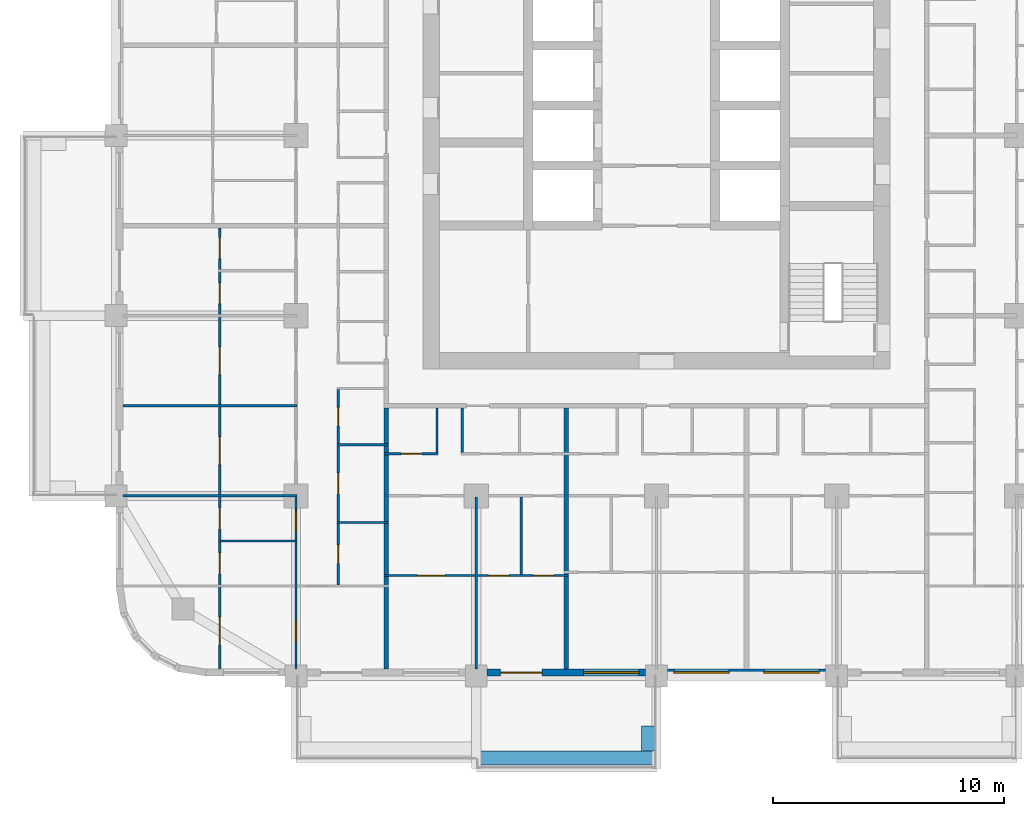
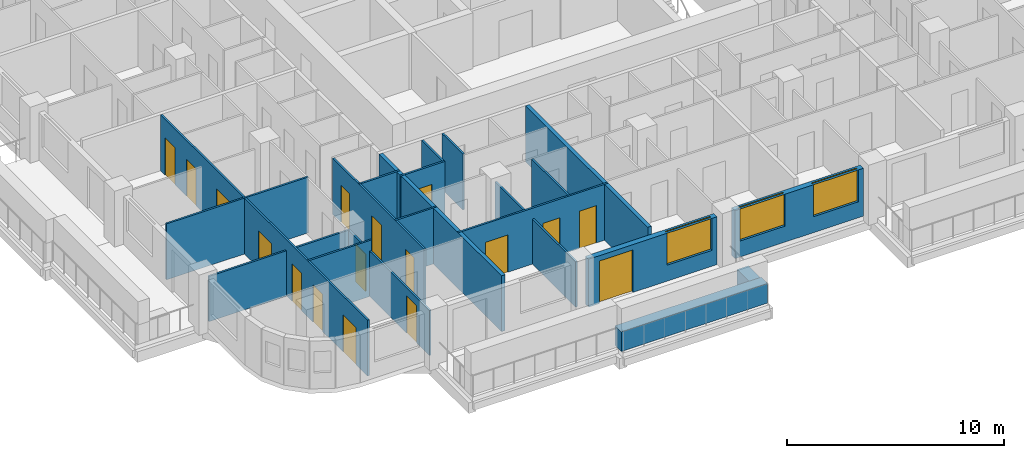
# One storey, part 3 of 18: 20 walls, 17 doors, 3 windows, 20 openings.
"""IFC4 building model written with IfcOpenShell, lengths in metres."""

import ifcopenshell
import ifcopenshell.guid

model = None  # the IFC model being written
_history = None  # IfcOwnerHistory: only IFC2X3 demands one
_inside = {}  # id of a spatial element -> (the spatial element, [elements in it])
_under = {}  # id of a project, library or spatial element -> (it, [spatial elements below it])
_declared = {}  # id of a project -> (the project, [libraries it declares])
_typed = {}  # id of a type object -> (the type object, [elements of that type])
_made_of = {}  # id of a material, layer set ... -> (it, [elements and type objects made of it])


def new_model(schema):
    """Start an empty IFC model of exactly this schema.

    Asked for "IFC4X3", IfcOpenShell would pick the latest addendum, in which some entities
    have other attributes; the version numbers below select the first issue.
    IFC2X3 requires an IfcOwnerHistory on every rooted entity: one is made here for all.
    """
    global model, _history
    if schema == "IFC4X3":
        model = ifcopenshell.file(schema_version=(4, 3, 0, 0))
    else:
        model = ifcopenshell.file(schema=schema)
    _inside.clear()
    _under.clear()
    _declared.clear()
    _typed.clear()
    _made_of.clear()
    _history = None
    if model.schema == "IFC2X3":
        org = make("IfcOrganization", Name="unknown")
        user = make(
            "IfcPersonAndOrganization",
            ThePerson=make("IfcPerson", FamilyName="unknown"),
            TheOrganization=org,
        )
        app = make(
            "IfcApplication",
            ApplicationDeveloper=org,
            Version="unknown",
            ApplicationFullName="unknown",
            ApplicationIdentifier="unknown",
        )
        _history = make(
            "IfcOwnerHistory",
            OwningUser=user,
            OwningApplication=app,
            ChangeAction="ADDED",
            CreationDate=0,
        )
    return model


def make(cls, **values):
    """One entity of the class cls with the attributes given. An attribute that is None is left unset."""
    return model.create_entity(
        cls, **{name: value for name, value in values.items() if value is not None}
    )


def rooted(cls, **values):
    """An entity with a GlobalId (a new one), such as an element, a storey or a relation."""
    return make(cls, GlobalId=ifcopenshell.guid.new(), OwnerHistory=_history, **values)


def si_unit(unit_type, name, prefix=None):
    """IfcSIUnit, for example si_unit("LENGTHUNIT", "METRE", prefix="MILLI")."""
    return make("IfcSIUnit", UnitType=unit_type, Prefix=prefix, Name=name)


def assignment(units):
    """IfcUnitAssignment: the units of a project."""
    return None if units is None else make("IfcUnitAssignment", Units=units)


def point(xyz):
    """IfcCartesianPoint."""
    return None if xyz is None else make("IfcCartesianPoint", Coordinates=xyz)


def direction(xyz):
    """IfcDirection."""
    return None if xyz is None else make("IfcDirection", DirectionRatios=xyz)


def frame(location, z_axis=None, x_axis=None):
    """IfcAxis2Placement3D, a coordinate frame: its origin and axes. An axis left out is left unset."""
    return make(
        "IfcAxis2Placement3D",
        Location=point(location),
        Axis=direction(z_axis),
        RefDirection=direction(x_axis),
    )


def frame_2d(location, x_axis=None):
    """IfcAxis2Placement2D, a coordinate frame in the plane: its origin and x axis."""
    return make(
        "IfcAxis2Placement2D", Location=point(location), RefDirection=direction(x_axis)
    )


def origin():
    """The frame at (0, 0, 0) with its axes left unset."""
    return frame((0.0, 0.0, 0.0))


def place(relative_to, where):
    """IfcLocalPlacement: puts the frame where relative to a parent placement (None: the world)."""
    return make(
        "IfcLocalPlacement", PlacementRelTo=relative_to, RelativePlacement=where
    )


def context(
    kind, dimensions, precision=None, world=None, true_north=None, identifier=None
):
    """IfcGeometricRepresentationContext, for example the 3D "Model" context."""
    return make(
        "IfcGeometricRepresentationContext",
        ContextIdentifier=identifier,
        ContextType=kind,
        CoordinateSpaceDimension=dimensions,
        Precision=precision,
        WorldCoordinateSystem=world,
        TrueNorth=true_north,
    )


def subcontext(parent, identifier, kind, view, scale=None):
    """IfcGeometricRepresentationSubContext, for example "Body" below "Model"."""
    return make(
        "IfcGeometricRepresentationSubContext",
        ContextIdentifier=identifier,
        ContextType=kind,
        ParentContext=parent,
        TargetScale=scale,
        TargetView=view,
    )


def project(units=None, contexts=None):
    """IfcProject with its units and contexts."""
    return rooted(
        "IfcProject",
        Name="project",
        RepresentationContexts=contexts,
        UnitsInContext=assignment(units),
    )


def spatial(cls, under=None, at=None, **own):
    """A site, building, storey or space (cls), placed at a placement, below another one or the project."""
    s = rooted(cls, ObjectPlacement=at, **own)
    if under is not None:
        _under.setdefault(under.id(), (under, []))[1].append(s)
    return s


def profile(cls, at=None, kind="AREA", **sizes):
    """A parametric profile (cls). Its sizes go by their IFC names, for example OverallWidth=200.0."""
    return make(cls, ProfileType=kind, Position=at, **sizes)


def rectangle(**sizes):
    """IfcRectangleProfileDef."""
    return profile("IfcRectangleProfileDef", **sizes)


def extrude(swept, where, along, depth):
    """IfcExtrudedAreaSolid: the profile swept, set in the frame where, extruded along a direction by depth."""
    return make(
        "IfcExtrudedAreaSolid",
        SweptArea=swept,
        Position=where,
        ExtrudedDirection=direction(along),
        Depth=depth,
    )


def shape(context_of_items, identifier, shape_type, items):
    """IfcShapeRepresentation: the items that make up one representation, for example the "Body"."""
    return make(
        "IfcShapeRepresentation",
        ContextOfItems=context_of_items,
        RepresentationIdentifier=identifier,
        RepresentationType=shape_type,
        Items=items,
    )


def material(Name=None, Category=None):
    """IfcMaterial."""
    return make("IfcMaterial", Name=Name, Category=Category)


def layer(
    of_material, thickness, ventilated=None, Name=None, Category=None, Priority=None
):
    """IfcMaterialLayer: one layer of a wall or slab, of a material (None: an air gap)."""
    return make(
        "IfcMaterialLayer",
        Material=of_material,
        LayerThickness=thickness,
        IsVentilated=ventilated,
        Name=Name,
        Category=Category,
        Priority=Priority,
    )


def layer_set(layers, Name=None):
    """IfcMaterialLayerSet."""
    return make("IfcMaterialLayerSet", MaterialLayers=layers, LayerSetName=Name)


def made_of(thing, what):
    """Note that an element or type object is made of a material, layer set ...; save() writes the relation."""
    if what is not None:
        _made_of.setdefault(what.id(), (what, []))[1].append(thing)
    return thing


def type_object(cls, material=None, **own):
    """A type object (cls), such as IfcWallType, which elements share."""
    return made_of(rooted(cls, **own), material)


def element(
    cls,
    number,
    at=None,
    inside=None,
    cuts=None,
    type_object=None,
    material=None,
    context=None,
    identifier="Body",
    shape_type=None,
    held_by="IfcProductDefinitionShape",
    body=None,
    shapes=None,
    **own,
):
    """One element of the class cls, such as IfcWall. Its Tag is "e" and its number.

    at: its placement. inside: the storey or other place that contains it. cuts: it is an
    opening in that element (IfcRelVoidsElement). A single representation is given by context,
    identifier, shape_type and body (its items); several are given by shapes. held_by: the class
    of the entity that holds the representations. save() writes the other relations.
    """
    e = rooted(cls, Tag="e%d" % number, ObjectPlacement=at, **own)
    if body is not None:
        shapes = [shape(context, identifier, shape_type, body)]
    if shapes is not None:
        e.Representation = make(held_by, Representations=shapes)
    if inside is not None:
        _inside.setdefault(inside.id(), (inside, []))[1].append(e)
    if cuts is not None:
        rooted(
            "IfcRelVoidsElement", RelatingBuildingElement=cuts, RelatedOpeningElement=e
        )
    if type_object is not None:
        _typed.setdefault(type_object.id(), (type_object, []))[1].append(e)
    return made_of(e, material)


def fill(opening, filler):
    """IfcRelFillsElement: the door or window that sits in an opening."""
    return rooted(
        "IfcRelFillsElement",
        RelatingOpeningElement=opening,
        RelatedBuildingElement=filler,
    )


def aggregate(whole, parts):
    """IfcRelAggregates: a whole, such as a stair, and the parts it consists of."""
    return rooted("IfcRelAggregates", RelatingObject=whole, RelatedObjects=parts)


def save(model, path):
    """Write the relations noted so far, then the file.

    IfcRelAggregates (storeys below a building ...), IfcRelContainedInSpatialStructure (elements
    in a storey), IfcRelDefinesByType, IfcRelAssociatesMaterial and IfcRelDeclares: one each for
    every whole, place, type object, material and project.
    """
    for whole, parts in _under.values():
        aggregate(whole, parts)
    for where, things in _inside.values():
        rooted(
            "IfcRelContainedInSpatialStructure",
            RelatedElements=things,
            RelatingStructure=where,
        )
    for kind, things in _typed.values():
        rooted("IfcRelDefinesByType", RelatedObjects=things, RelatingType=kind)
    for what, things in _made_of.values():
        rooted("IfcRelAssociatesMaterial", RelatedObjects=things, RelatingMaterial=what)
    for by, libraries in _declared.values():
        rooted("IfcRelDeclares", RelatingContext=by, RelatedDefinitions=libraries)
    model.write(path)


model = new_model("IFC4")

# Units and contexts
model_context = context("Model", 3, precision=1e-05, world=origin(), true_north=direction((0.0, 1.0)))
body_context = subcontext(model_context, "Body", "Model", "MODEL_VIEW")
ifc_project = project(units=[si_unit("LENGTHUNIT", "METRE"), si_unit("AREAUNIT", "SQUARE_METRE"), si_unit("VOLUMEUNIT", "CUBIC_METRE"), si_unit("PLANEANGLEUNIT", "RADIAN"), si_unit("MASSUNIT", "GRAM", prefix="KILO")], contexts=[model_context])

# Site, building, storey
site_placement = place(None, origin())
site = spatial("IfcSite", under=ifc_project, at=site_placement, CompositionType="ELEMENT")
building_placement = place(site_placement, origin())
building = spatial("IfcBuilding", under=site, at=building_placement, Name="Ludao Terraces", CompositionType="ELEMENT")
storey_placement = place(building_placement, frame((0.0, 0.0, 64.800048828125)))
storey = spatial("IfcBuildingStorey", under=building, at=storey_placement, Name="L17", CompositionType="ELEMENT", Elevation=64.800048828125)

# Walls
ifc_material_1 = material(Name="Concrete C40", Category="concrete")
ifc_layer_1 = layer(ifc_material_1, 0.60009765625)
ifc_layer_set_1 = layer_set([ifc_layer_1], Name="ENV Planter trough 600")
wall_type_1 = type_object("IfcWallType", Name="ENV Planter trough 600", PredefinedType="USERDEFINED", material=ifc_layer_set_1)
wall_1_placement = place(storey_placement, frame((77.199951171875, 38.050048828125, 0.0), z_axis=(0.0, 0.0, 1.0), x_axis=(1.0, 0.0, 0.0)))
element("IfcWall", 1, at=wall_1_placement, inside=storey, type_object=wall_type_1, Name="PL-L17-S2", ObjectType="PLANTER", PredefinedType="USERDEFINED", context=body_context, shape_type="SweptSolid", body=[
    extrude(rectangle(XDim=7.800048828125, YDim=0.60009765625, at=frame_2d((3.89990234375, 0.0))), origin(), (0.0, 0.0, 1.0), 1.099853515625),
])
wall_2_placement = place(storey_placement, frame((84.64990234375, 38.35009765625, 0.0), z_axis=(0.0, 0.0, 1.0), x_axis=(0.0, 1.0, 0.0)))
element("IfcWall", 2, at=wall_2_placement, inside=storey, type_object=wall_type_1, Name="PL-L17-S2-SB", ObjectType="PLANTER", PredefinedType="USERDEFINED", context=body_context, shape_type="SweptSolid", body=[
    extrude(rectangle(XDim=1.099853515625, YDim=0.60009765625, at=frame_2d((0.5498046875, 0.0))), origin(), (0.0, 0.0, 1.0), 1.099853515625),
])

# Wall, openings, door, window
ifc_material_2 = material(Name="Granite cladding", Category="masonry")
ifc_layer_2 = layer(ifc_material_2, 0.0400390625, Category="stone")
ifc_material_3 = material(Name="Mineral wool")
ifc_layer_3 = layer(ifc_material_3, 0.06005859375)
ifc_layer_4 = layer(ifc_material_1, 0.199951171875, Category="concrete")
ifc_layer_set_2 = layer_set([ifc_layer_2, ifc_layer_3, ifc_layer_4], Name="ENV Stone-clad wall 300")
wall_type_2 = type_object("IfcWallType", Name="ENV Stone-clad wall 300", PredefinedType="SOLIDWALL", material=ifc_layer_set_2)
wall_3_placement = place(storey_placement, frame((77.675048828125, 41.75, 0.0), z_axis=(0.0, 0.0, 1.0), x_axis=(1.0, 0.0, 0.0)))
wall_3 = element("IfcWall", 3, at=wall_3_placement, inside=storey, type_object=wall_type_2, Name="EW-L17-S3", PredefinedType="SOLIDWALL", context=body_context, shape_type="SweptSolid", body=[
    extrude(rectangle(XDim=6.849853515625, YDim=0.300048828125, at=frame_2d((3.4248046875, 0.0))), origin(), (0.0, 0.0, 1.0), 2.699951171875),
])
opening_1_placement = place(wall_3_placement, frame((0.574951171875, 0.0, 0.0)))
opening_1 = element("IfcOpeningElement", 4, at=opening_1_placement, cuts=wall_3, Name="Opening BD", PredefinedType="OPENING", context=body_context, shape_type="SweptSolid", body=[
    extrude(rectangle(XDim=1.800048828125, YDim=2.39990234375, at=frame_2d((0.89990234375, 1.199951171875))), frame((0.0, 0.16015625, 0.0), z_axis=(0.0, -1.0, 0.0), x_axis=(1.0, 0.0, 0.0)), (0.0, 0.0, 1.0), 0.320068359375),
])
opening_2_placement = place(wall_3_placement, frame((4.175048828125, 0.0, 0.89990234375)))
opening_2 = element("IfcOpeningElement", 5, at=opening_2_placement, cuts=wall_3, Name="Opening W1", PredefinedType="OPENING", context=body_context, shape_type="SweptSolid", body=[
    extrude(rectangle(XDim=2.39990234375, YDim=1.800048828125, at=frame_2d((1.199951171875, 0.89990234375))), frame((0.0, 0.16015625, 0.0), z_axis=(0.0, -1.0, 0.0), x_axis=(1.0, 0.0, 0.0)), (0.0, 0.0, 1.0), 0.320068359375),
])
ifc_material_4 = material(Name="Aluminium glazed door", Category="aluminium")
ifc_layer_5 = layer(ifc_material_4, 0.06005859375)
ifc_layer_set_3 = layer_set([ifc_layer_5], Name="ENV Balcony door BD 1800x2400")
door_type_1 = type_object("IfcDoorType", Name="ENV Balcony door BD 1800x2400", OperationType="DOUBLE_DOOR_SINGLE_SWING", PredefinedType="DOOR", material=ifc_layer_set_3)
door_1_placement = place(opening_1_placement, origin())
door_1 = element("IfcDoor", 6, at=door_1_placement, inside=storey, type_object=door_type_1, Name="BD-L17-S3-1", OperationType="DOUBLE_DOOR_SINGLE_SWING", OverallHeight=2.39990234375, OverallWidth=1.800048828125, PredefinedType="DOOR", context=body_context, shape_type="SweptSolid", body=[
    extrude(rectangle(XDim=1.800048828125, YDim=2.39990234375, at=frame_2d((0.89990234375, 1.199951171875))), frame((0.0, 0.02490234375, 0.0), z_axis=(0.0, -1.0, 0.0), x_axis=(1.0, 0.0, 0.0)), (0.0, 0.0, 1.0), 0.050048828125),
])
fill(opening_1, door_1)
ifc_material_5 = material(Name="Clear glass in aluminium frame", Category="aluminium")
ifc_layer_6 = layer(ifc_material_5, 0.06005859375)
ifc_layer_set_4 = layer_set([ifc_layer_6], Name="ENV Window W1 2400x1800")
window_type = type_object("IfcWindowType", Name="ENV Window W1 2400x1800", PartitioningType="DOUBLE_PANEL_VERTICAL", PredefinedType="WINDOW", material=ifc_layer_set_4)
window_1_placement = place(opening_2_placement, origin())
window_1 = element("IfcWindow", 7, at=window_1_placement, inside=storey, type_object=window_type, Name="W-L17-S3-2", OverallHeight=1.800048828125, OverallWidth=2.39990234375, PartitioningType="DOUBLE_PANEL_VERTICAL", PredefinedType="WINDOW", context=body_context, shape_type="SweptSolid", body=[
    extrude(rectangle(XDim=2.39990234375, YDim=1.800048828125, at=frame_2d((1.199951171875, 0.89990234375))), frame((0.0, 0.030029296875, 0.0), z_axis=(0.0, -1.0, 0.0), x_axis=(1.0, 0.0, 0.0)), (0.0, 0.0, 1.0), 0.06005859375),
])
fill(opening_2, window_1)

# Wall, openings, windows
wall_4_placement = place(storey_placement, frame((85.47509765625, 41.75, 0.0), z_axis=(0.0, 0.0, 1.0), x_axis=(1.0, 0.0, 0.0)))
wall_4 = element("IfcWall", 8, at=wall_4_placement, inside=storey, type_object=wall_type_2, Name="EW-L17-S4", PredefinedType="SOLIDWALL", context=body_context, shape_type="SweptSolid", body=[
    extrude(rectangle(XDim=6.849853515625, YDim=0.300048828125, at=frame_2d((3.4248046875, 0.0))), origin(), (0.0, 0.0, 1.0), 2.699951171875),
])
opening_3_placement = place(wall_4_placement, frame((0.27490234375, 0.0, 0.89990234375)))
opening_3 = element("IfcOpeningElement", 9, at=opening_3_placement, cuts=wall_4, Name="Opening W1", PredefinedType="OPENING", context=body_context, shape_type="SweptSolid", body=[
    extrude(rectangle(XDim=2.39990234375, YDim=1.800048828125, at=frame_2d((1.199951171875, 0.89990234375))), frame((0.0, 0.16015625, 0.0), z_axis=(0.0, -1.0, 0.0), x_axis=(1.0, 0.0, 0.0)), (0.0, 0.0, 1.0), 0.320068359375),
])
opening_4_placement = place(wall_4_placement, frame((4.175048828125, 0.0, 0.89990234375)))
opening_4 = element("IfcOpeningElement", 10, at=opening_4_placement, cuts=wall_4, Name="Opening W1", PredefinedType="OPENING", context=body_context, shape_type="SweptSolid", body=[
    extrude(rectangle(XDim=2.39990234375, YDim=1.800048828125, at=frame_2d((1.199951171875, 0.89990234375))), frame((0.0, 0.16015625, 0.0), z_axis=(0.0, -1.0, 0.0), x_axis=(1.0, 0.0, 0.0)), (0.0, 0.0, 1.0), 0.320068359375),
])
window_2_placement = place(opening_3_placement, origin())
window_2 = element("IfcWindow", 11, at=window_2_placement, inside=storey, type_object=window_type, Name="W-L17-S4-1", OverallHeight=1.800048828125, OverallWidth=2.39990234375, PartitioningType="DOUBLE_PANEL_VERTICAL", PredefinedType="WINDOW", context=body_context, shape_type="SweptSolid", body=[
    extrude(rectangle(XDim=2.39990234375, YDim=1.800048828125, at=frame_2d((1.199951171875, 0.89990234375))), frame((0.0, 0.030029296875, 0.0), z_axis=(0.0, -1.0, 0.0), x_axis=(1.0, 0.0, 0.0)), (0.0, 0.0, 1.0), 0.06005859375),
])
fill(opening_3, window_2)
window_3_placement = place(opening_4_placement, origin())
window_3 = element("IfcWindow", 12, at=window_3_placement, inside=storey, type_object=window_type, Name="W-L17-S4-2", OverallHeight=1.800048828125, OverallWidth=2.39990234375, PartitioningType="DOUBLE_PANEL_VERTICAL", PredefinedType="WINDOW", context=body_context, shape_type="SweptSolid", body=[
    extrude(rectangle(XDim=2.39990234375, YDim=1.800048828125, at=frame_2d((1.199951171875, 0.89990234375))), frame((0.0, 0.030029296875, 0.0), z_axis=(0.0, -1.0, 0.0), x_axis=(1.0, 0.0, 0.0)), (0.0, 0.0, 1.0), 0.06005859375),
])
fill(opening_4, window_3)

# Wall, openings, doors
ifc_material_6 = material(Name="Gypsum plasterboard", Category="gypsum")
ifc_layer_7 = layer(ifc_material_6, 0.012451171875, Category="gypsum")
ifc_layer_8 = layer(ifc_material_3, 0.06005859375, Name="insulation")
ifc_material_7 = material(Name="Steel Q235", Category="steel")
ifc_layer_9 = layer(ifc_material_7, 0.014892578125, Name="stud")
ifc_layer_10 = layer(ifc_material_6, 0.012451171875, Category="gypsum")
ifc_layer_set_5 = layer_set([ifc_layer_7, ifc_layer_8, ifc_layer_9, ifc_layer_10], Name="INT Partition 100")
wall_type_3 = type_object("IfcWallType", Name="INT Partition 100", PredefinedType="PARTITIONING", material=ifc_layer_set_5)
wall_5_placement = place(storey_placement, frame((73.2001953125, 45.949951171875, 0.0), z_axis=(0.0, 0.0, 1.0), x_axis=(1.0, 0.0, 0.0)))
wall_5 = element("IfcWall", 13, at=wall_5_placement, inside=storey, type_object=wall_type_3, Name="PW-L17-PW002", PredefinedType="PARTITIONING", context=body_context, shape_type="SweptSolid", body=[
    extrude(rectangle(XDim=8.0, YDim=0.10009765625, at=frame_2d((4.0, 0.0))), origin(), (0.0, 0.0, 1.0), 3.14990234375),
])
opening_5_placement = place(wall_5_placement, frame((1.449951171875, 0.0, 0.0)))
opening_5 = element("IfcOpeningElement", 14, at=opening_5_placement, cuts=wall_5, Name="Opening R05-007", PredefinedType="OPENING", context=body_context, shape_type="SweptSolid", body=[
    extrude(rectangle(XDim=1.199951171875, YDim=2.10009765625, at=frame_2d((0.60009765625, 1.050048828125))), frame((0.0, 0.06005859375, 0.0), z_axis=(0.0, -1.0, 0.0), x_axis=(1.0, 0.0, 0.0)), (0.0, 0.0, 1.0), 0.1201171875),
])
opening_6_placement = place(wall_5_placement, frame((4.52490234375, 0.0, 0.0)))
opening_6 = element("IfcOpeningElement", 15, at=opening_6_placement, cuts=wall_5, Name="Opening R05-008", PredefinedType="OPENING", context=body_context, shape_type="SweptSolid", body=[
    extrude(rectangle(XDim=0.89990234375, YDim=2.10009765625, at=frame_2d((0.449951171875, 1.050048828125))), frame((0.0, 0.06005859375, 0.0), z_axis=(0.0, -1.0, 0.0), x_axis=(1.0, 0.0, 0.0)), (0.0, 0.0, 1.0), 0.1201171875),
])
opening_7_placement = place(wall_5_placement, frame((6.474853515625, 0.0, 0.0)))
opening_7 = element("IfcOpeningElement", 16, at=opening_7_placement, cuts=wall_5, Name="Opening R05-009", PredefinedType="OPENING", context=body_context, shape_type="SweptSolid", body=[
    extrude(rectangle(XDim=0.89990234375, YDim=2.10009765625, at=frame_2d((0.449951171875, 1.050048828125))), frame((0.0, 0.06005859375, 0.0), z_axis=(0.0, -1.0, 0.0), x_axis=(1.0, 0.0, 0.0)), (0.0, 0.0, 1.0), 0.1201171875),
])
ifc_material_8 = material(Name="Timber door leaf", Category="wood")
door_type_2 = type_object("IfcDoorType", Name="INT Bathroom door 900", OperationType="SINGLE_SWING_LEFT", PredefinedType="DOOR", material=ifc_material_8)
door_2_placement = place(opening_6_placement, origin())
door_2 = element("IfcDoor", 17, at=door_2_placement, inside=storey, type_object=door_type_2, Name="DOOR 008", OperationType="SINGLE_SWING_LEFT", OverallHeight=2.10009765625, OverallWidth=0.89990234375, PredefinedType="DOOR", context=body_context, shape_type="SweptSolid", body=[
    extrude(rectangle(XDim=0.89990234375, YDim=2.10009765625, at=frame_2d((0.449951171875, 1.050048828125))), frame((0.0, 0.02490234375, 0.0), z_axis=(0.0, -1.0, 0.0), x_axis=(1.0, 0.0, 0.0)), (0.0, 0.0, 1.0), 0.050048828125),
])
fill(opening_6, door_2)
door_type_3 = type_object("IfcDoorType", Name="INT Double door 1200", OperationType="DOUBLE_DOOR_SINGLE_SWING", PredefinedType="DOOR", material=ifc_material_8)
door_3_placement = place(opening_5_placement, origin())
door_3 = element("IfcDoor", 18, at=door_3_placement, inside=storey, type_object=door_type_3, Name="DOOR 007", OperationType="DOUBLE_DOOR_SINGLE_SWING", OverallHeight=2.10009765625, OverallWidth=1.199951171875, PredefinedType="DOOR", context=body_context, shape_type="SweptSolid", body=[
    extrude(rectangle(XDim=1.199951171875, YDim=2.10009765625, at=frame_2d((0.60009765625, 1.050048828125))), frame((0.0, 0.02490234375, 0.0), z_axis=(0.0, -1.0, 0.0), x_axis=(1.0, 0.0, 0.0)), (0.0, 0.0, 1.0), 0.050048828125),
])
fill(opening_5, door_3)
door_type_4 = type_object("IfcDoorType", Name="INT Room door 900", OperationType="SINGLE_SWING_LEFT", PredefinedType="DOOR", material=ifc_material_8)
door_4_placement = place(opening_7_placement, origin())
door_4 = element("IfcDoor", 19, at=door_4_placement, inside=storey, type_object=door_type_4, Name="DOOR 009", OperationType="SINGLE_SWING_LEFT", OverallHeight=2.10009765625, OverallWidth=0.89990234375, PredefinedType="DOOR", context=body_context, shape_type="SweptSolid", body=[
    extrude(rectangle(XDim=0.89990234375, YDim=2.10009765625, at=frame_2d((0.449951171875, 1.050048828125))), frame((0.0, 0.02490234375, 0.0), z_axis=(0.0, -1.0, 0.0), x_axis=(1.0, 0.0, 0.0)), (0.0, 0.0, 1.0), 0.050048828125),
])
fill(opening_7, door_4)

# Walls
wall_6_placement = place(storey_placement, frame((66.050048828125, 47.449951171875, 0.0), z_axis=(0.0, 0.0, 1.0), x_axis=(1.0, 0.0, 0.0)))
element("IfcWall", 20, at=wall_6_placement, inside=storey, type_object=wall_type_3, Name="PW-L17-PW004", PredefinedType="PARTITIONING", context=body_context, shape_type="SweptSolid", body=[
    extrude(rectangle(XDim=3.400146484375, YDim=0.10009765625, at=frame_2d((1.7001953125, 0.0))), origin(), (0.0, 0.0, 1.0), 3.14990234375),
])
wall_7_placement = place(storey_placement, frame((71.18017578125, 48.25, 0.0), z_axis=(0.0, 0.0, 1.0), x_axis=(1.0, 0.0, 0.0)))
element("IfcWall", 21, at=wall_7_placement, inside=storey, type_object=wall_type_3, Name="PW-L17-PW006", PredefinedType="PARTITIONING", context=body_context, shape_type="SweptSolid", body=[
    extrude(rectangle(XDim=2.219970703125, YDim=0.10009765625, at=frame_2d((1.10986328125, 0.0))), origin(), (0.0, 0.0, 1.0), 3.14990234375),
])
wall_8_placement = place(storey_placement, frame((61.900146484375, 49.39990234375, 0.0), z_axis=(0.0, 0.0, 1.0), x_axis=(1.0, 0.0, 0.0)))
element("IfcWall", 22, at=wall_8_placement, inside=storey, type_object=wall_type_3, Name="PW-L17-PW007", PredefinedType="PARTITIONING", context=body_context, shape_type="SweptSolid", body=[
    extrude(rectangle(XDim=7.550048828125, YDim=0.10009765625, at=frame_2d((3.77490234375, 0.0))), origin(), (0.0, 0.0, 1.0), 2.5498046875),
])

# Wall, opening, door
wall_9_placement = place(storey_placement, frame((73.2001953125, 51.22998046875, 0.0), z_axis=(0.0, 0.0, 1.0), x_axis=(1.0, 0.0, 0.0)))
wall_9 = element("IfcWall", 23, at=wall_9_placement, inside=storey, type_object=wall_type_3, Name="PW-L17-PW011", PredefinedType="PARTITIONING", context=body_context, shape_type="SweptSolid", body=[
    extrude(rectangle(XDim=2.349853515625, YDim=0.10009765625, at=frame_2d((1.1748046875, 0.0))), origin(), (0.0, 0.0, 1.0), 3.14990234375),
])
opening_8_placement = place(wall_9_placement, frame((0.75, 0.0, 0.0)))
opening_8 = element("IfcOpeningElement", 24, at=opening_8_placement, cuts=wall_9, Name="Opening R05-033", PredefinedType="OPENING", context=body_context, shape_type="SweptSolid", body=[
    extrude(rectangle(XDim=0.89990234375, YDim=2.10009765625, at=frame_2d((0.449951171875, 1.050048828125))), frame((0.0, 0.06005859375, 0.0), z_axis=(0.0, -1.0, 0.0), x_axis=(1.0, 0.0, 0.0)), (0.0, 0.0, 1.0), 0.1201171875),
])
door_5_placement = place(opening_8_placement, origin())
door_5 = element("IfcDoor", 25, at=door_5_placement, inside=storey, type_object=door_type_2, Name="DOOR 033", OperationType="SINGLE_SWING_LEFT", OverallHeight=2.10009765625, OverallWidth=0.89990234375, PredefinedType="DOOR", context=body_context, shape_type="SweptSolid", body=[
    extrude(rectangle(XDim=0.89990234375, YDim=2.10009765625, at=frame_2d((0.449951171875, 1.050048828125))), frame((0.0, 0.02490234375, 0.0), z_axis=(0.0, -1.0, 0.0), x_axis=(1.0, 0.0, 0.0)), (0.0, 0.0, 1.0), 0.050048828125),
])
fill(opening_8, door_5)

# Walls
wall_10_placement = place(storey_placement, frame((71.18017578125, 51.6201171875, 0.0), z_axis=(0.0, 0.0, 1.0), x_axis=(1.0, 0.0, 0.0)))
element("IfcWall", 26, at=wall_10_placement, inside=storey, type_object=wall_type_3, Name="PW-L17-PW016", PredefinedType="PARTITIONING", context=body_context, shape_type="SweptSolid", body=[
    extrude(rectangle(XDim=2.219970703125, YDim=0.10009765625, at=frame_2d((1.10986328125, 0.0))), origin(), (0.0, 0.0, 1.0), 3.14990234375),
])
wall_11_placement = place(storey_placement, frame((61.900146484375, 53.300048828125, 0.0), z_axis=(0.0, 0.0, 1.0), x_axis=(1.0, 0.0, 0.0)))
element("IfcWall", 27, at=wall_11_placement, inside=storey, type_object=wall_type_3, Name="PW-L17-PW018", PredefinedType="PARTITIONING", context=body_context, shape_type="SweptSolid", body=[
    extrude(rectangle(XDim=7.550048828125, YDim=0.10009765625, at=frame_2d((3.77490234375, 0.0))), origin(), (0.0, 0.0, 1.0), 3.14990234375),
])

# Wall, openings, doors
wall_12_placement = place(storey_placement, frame((66.10009765625, 41.900146484375, 0.0), z_axis=(0.0, 0.0, 1.0), x_axis=(0.0, 1.0, 0.0)))
wall_12 = element("IfcWall", 28, at=wall_12_placement, inside=storey, type_object=wall_type_3, Name="PW-L17-PW084", PredefinedType="PARTITIONING", context=body_context, shape_type="SweptSolid", body=[
    extrude(rectangle(XDim=19.099853515625, YDim=0.10009765625, at=frame_2d((9.5498046875, 0.0))), origin(), (0.0, 0.0, 1.0), 3.14990234375),
])
opening_9_placement = place(wall_12_placement, frame((1.050048828125, 0.0, 0.0)))
opening_9 = element("IfcOpeningElement", 29, at=opening_9_placement, cuts=wall_12, Name="Opening R05-001", PredefinedType="OPENING", context=body_context, shape_type="SweptSolid", body=[
    extrude(rectangle(XDim=1.199951171875, YDim=2.10009765625, at=frame_2d((0.60009765625, 1.050048828125))), frame((0.0, 0.06005859375, 0.0), z_axis=(0.0, -1.0, 0.0), x_axis=(1.0, 0.0, 0.0)), (0.0, 0.0, 1.0), 0.1201171875),
])
opening_10_placement = place(wall_12_placement, frame((4.125, 0.0, 0.0)))
opening_10 = element("IfcOpeningElement", 30, at=opening_10_placement, cuts=wall_12, Name="Opening R05-016", PredefinedType="OPENING", context=body_context, shape_type="SweptSolid", body=[
    extrude(rectangle(XDim=0.89990234375, YDim=2.10009765625, at=frame_2d((0.449951171875, 1.050048828125))), frame((0.0, 0.06005859375, 0.0), z_axis=(0.0, -1.0, 0.0), x_axis=(1.0, 0.0, 0.0)), (0.0, 0.0, 1.0), 0.1201171875),
])
opening_11_placement = place(wall_12_placement, frame((6.074951171875, 0.0, 0.0)))
opening_11 = element("IfcOpeningElement", 31, at=opening_11_placement, cuts=wall_12, Name="Opening R05-022", PredefinedType="OPENING", context=body_context, shape_type="SweptSolid", body=[
    extrude(rectangle(XDim=0.89990234375, YDim=2.10009765625, at=frame_2d((0.449951171875, 1.050048828125))), frame((0.0, 0.06005859375, 0.0), z_axis=(0.0, -1.0, 0.0), x_axis=(1.0, 0.0, 0.0)), (0.0, 0.0, 1.0), 0.1201171875),
])
opening_12_placement = place(wall_12_placement, frame((8.85009765625, 0.0, 0.0)))
opening_12 = element("IfcOpeningElement", 32, at=opening_12_placement, cuts=wall_12, Name="Opening R05-042", PredefinedType="OPENING", context=body_context, shape_type="SweptSolid", body=[
    extrude(rectangle(XDim=1.199951171875, YDim=2.10009765625, at=frame_2d((0.60009765625, 1.050048828125))), frame((0.0, 0.06005859375, 0.0), z_axis=(0.0, -1.0, 0.0), x_axis=(1.0, 0.0, 0.0)), (0.0, 0.0, 1.0), 0.1201171875),
])
opening_13_placement = place(wall_12_placement, frame((12.75, 0.0, 0.0)))
opening_13 = element("IfcOpeningElement", 33, at=opening_13_placement, cuts=wall_12, Name="Opening R05-052", PredefinedType="OPENING", context=body_context, shape_type="SweptSolid", body=[
    extrude(rectangle(XDim=1.199951171875, YDim=2.10009765625, at=frame_2d((0.60009765625, 1.050048828125))), frame((0.0, 0.06005859375, 0.0), z_axis=(0.0, -1.0, 0.0), x_axis=(1.0, 0.0, 0.0)), (0.0, 0.0, 1.0), 0.1201171875),
])
opening_14_placement = place(wall_12_placement, frame((15.824951171875, 0.0, 0.0)))
opening_14 = element("IfcOpeningElement", 34, at=opening_14_placement, cuts=wall_12, Name="Opening R05-065", PredefinedType="OPENING", context=body_context, shape_type="SweptSolid", body=[
    extrude(rectangle(XDim=0.89990234375, YDim=2.10009765625, at=frame_2d((0.449951171875, 1.050048828125))), frame((0.0, 0.06005859375, 0.0), z_axis=(0.0, -1.0, 0.0), x_axis=(1.0, 0.0, 0.0)), (0.0, 0.0, 1.0), 0.1201171875),
])
opening_15_placement = place(wall_12_placement, frame((17.77490234375, 0.0, 0.0)))
opening_15 = element("IfcOpeningElement", 35, at=opening_15_placement, cuts=wall_12, Name="Opening R05-070", PredefinedType="OPENING", context=body_context, shape_type="SweptSolid", body=[
    extrude(rectangle(XDim=0.89990234375, YDim=2.10009765625, at=frame_2d((0.449951171875, 1.050048828125))), frame((0.0, 0.06005859375, 0.0), z_axis=(0.0, -1.0, 0.0), x_axis=(1.0, 0.0, 0.0)), (0.0, 0.0, 1.0), 0.1201171875),
])
door_6_placement = place(opening_10_placement, origin())
door_6 = element("IfcDoor", 36, at=door_6_placement, inside=storey, type_object=door_type_2, Name="DOOR 016", OperationType="SINGLE_SWING_RIGHT", OverallHeight=2.10009765625, OverallWidth=0.89990234375, PredefinedType="DOOR", context=body_context, shape_type="SweptSolid", body=[
    extrude(rectangle(XDim=0.89990234375, YDim=2.10009765625, at=frame_2d((0.449951171875, 1.050048828125))), frame((0.0, 0.02490234375, 0.0), z_axis=(0.0, -1.0, 0.0), x_axis=(1.0, 0.0, 0.0)), (0.0, 0.0, 1.0), 0.050048828125),
])
fill(opening_10, door_6)
door_7_placement = place(opening_14_placement, origin())
door_7 = element("IfcDoor", 37, at=door_7_placement, inside=storey, type_object=door_type_2, Name="DOOR 065", OperationType="SINGLE_SWING_RIGHT", OverallHeight=2.10009765625, OverallWidth=0.89990234375, PredefinedType="DOOR", context=body_context, shape_type="SweptSolid", body=[
    extrude(rectangle(XDim=0.89990234375, YDim=2.10009765625, at=frame_2d((0.449951171875, 1.050048828125))), frame((0.0, 0.02490234375, 0.0), z_axis=(0.0, -1.0, 0.0), x_axis=(1.0, 0.0, 0.0)), (0.0, 0.0, 1.0), 0.050048828125),
])
fill(opening_14, door_7)
door_8_placement = place(opening_9_placement, origin())
door_8 = element("IfcDoor", 38, at=door_8_placement, inside=storey, type_object=door_type_3, Name="DOOR 001", OperationType="DOUBLE_DOOR_SINGLE_SWING", OverallHeight=2.10009765625, OverallWidth=1.199951171875, PredefinedType="DOOR", context=body_context, shape_type="SweptSolid", body=[
    extrude(rectangle(XDim=1.199951171875, YDim=2.10009765625, at=frame_2d((0.60009765625, 1.050048828125))), frame((0.0, 0.02490234375, 0.0), z_axis=(0.0, -1.0, 0.0), x_axis=(1.0, 0.0, 0.0)), (0.0, 0.0, 1.0), 0.050048828125),
])
fill(opening_9, door_8)
door_9_placement = place(opening_12_placement, origin())
door_9 = element("IfcDoor", 39, at=door_9_placement, inside=storey, type_object=door_type_3, Name="DOOR 042", OperationType="DOUBLE_DOOR_SINGLE_SWING", OverallHeight=2.10009765625, OverallWidth=1.199951171875, PredefinedType="DOOR", context=body_context, shape_type="SweptSolid", body=[
    extrude(rectangle(XDim=1.199951171875, YDim=2.10009765625, at=frame_2d((0.60009765625, 1.050048828125))), frame((0.0, 0.02490234375, 0.0), z_axis=(0.0, -1.0, 0.0), x_axis=(1.0, 0.0, 0.0)), (0.0, 0.0, 1.0), 0.050048828125),
])
fill(opening_12, door_9)
door_10_placement = place(opening_13_placement, origin())
door_10 = element("IfcDoor", 40, at=door_10_placement, inside=storey, type_object=door_type_3, Name="DOOR 052", OperationType="DOUBLE_DOOR_SINGLE_SWING", OverallHeight=2.10009765625, OverallWidth=1.199951171875, PredefinedType="DOOR", context=body_context, shape_type="SweptSolid", body=[
    extrude(rectangle(XDim=1.199951171875, YDim=2.10009765625, at=frame_2d((0.60009765625, 1.050048828125))), frame((0.0, 0.02490234375, 0.0), z_axis=(0.0, -1.0, 0.0), x_axis=(1.0, 0.0, 0.0)), (0.0, 0.0, 1.0), 0.050048828125),
])
fill(opening_13, door_10)
door_11_placement = place(opening_11_placement, origin())
door_11 = element("IfcDoor", 41, at=door_11_placement, inside=storey, type_object=door_type_4, Name="DOOR 022", OperationType="SINGLE_SWING_LEFT", OverallHeight=2.10009765625, OverallWidth=0.89990234375, PredefinedType="DOOR", context=body_context, shape_type="SweptSolid", body=[
    extrude(rectangle(XDim=0.89990234375, YDim=2.10009765625, at=frame_2d((0.449951171875, 1.050048828125))), frame((0.0, 0.02490234375, 0.0), z_axis=(0.0, -1.0, 0.0), x_axis=(1.0, 0.0, 0.0)), (0.0, 0.0, 1.0), 0.050048828125),
])
fill(opening_11, door_11)
door_12_placement = place(opening_15_placement, origin())
door_12 = element("IfcDoor", 42, at=door_12_placement, inside=storey, type_object=door_type_4, Name="DOOR 070", OperationType="SINGLE_SWING_RIGHT", OverallHeight=2.10009765625, OverallWidth=0.89990234375, PredefinedType="DOOR", context=body_context, shape_type="SweptSolid", body=[
    extrude(rectangle(XDim=0.89990234375, YDim=2.10009765625, at=frame_2d((0.449951171875, 1.050048828125))), frame((0.0, 0.02490234375, 0.0), z_axis=(0.0, -1.0, 0.0), x_axis=(1.0, 0.0, 0.0)), (0.0, 0.0, 1.0), 0.050048828125),
])
fill(opening_15, door_12)

wall_13_placement = place(storey_placement, frame((69.39990234375, 41.900146484375, 0.0), z_axis=(0.0, 0.0, 1.0), x_axis=(0.0, 1.0, 0.0)))
wall_13 = element("IfcWall", 43, at=wall_13_placement, inside=storey, type_object=wall_type_3, Name="PW-L17-PW085", PredefinedType="PARTITIONING", context=body_context, shape_type="SweptSolid", body=[
    extrude(rectangle(XDim=7.499755859375, YDim=0.10009765625, at=frame_2d((3.75, 0.0))), origin(), (0.0, 0.0, 1.0), 2.5498046875),
])
opening_16_placement = place(wall_13_placement, frame((1.199951171875, 0.0, 0.0)))
opening_16 = element("IfcOpeningElement", 44, at=opening_16_placement, cuts=wall_13, Name="Opening R05-002", PredefinedType="OPENING", context=body_context, shape_type="SweptSolid", body=[
    extrude(rectangle(XDim=0.89990234375, YDim=2.10009765625, at=frame_2d((0.449951171875, 1.050048828125))), frame((0.0, 0.06005859375, 0.0), z_axis=(0.0, -1.0, 0.0), x_axis=(1.0, 0.0, 0.0)), (0.0, 0.0, 1.0), 0.1201171875),
])
opening_17_placement = place(wall_13_placement, frame((5.949951171875, 0.0, 0.0)))
opening_17 = element("IfcOpeningElement", 45, at=opening_17_placement, cuts=wall_13, Name="Opening R05-021", PredefinedType="OPENING", context=body_context, shape_type="SweptSolid", body=[
    extrude(rectangle(XDim=0.89990234375, YDim=2.10009765625, at=frame_2d((0.449951171875, 1.050048828125))), frame((0.0, 0.06005859375, 0.0), z_axis=(0.0, -1.0, 0.0), x_axis=(1.0, 0.0, 0.0)), (0.0, 0.0, 1.0), 0.1201171875),
])
door_13_placement = place(opening_16_placement, origin())
door_13 = element("IfcDoor", 46, at=door_13_placement, inside=storey, type_object=door_type_4, Name="DOOR 002", OperationType="SINGLE_SWING_LEFT", OverallHeight=2.10009765625, OverallWidth=0.89990234375, PredefinedType="DOOR", context=body_context, shape_type="SweptSolid", body=[
    extrude(rectangle(XDim=0.89990234375, YDim=2.10009765625, at=frame_2d((0.449951171875, 1.050048828125))), frame((0.0, 0.02490234375, 0.0), z_axis=(0.0, -1.0, 0.0), x_axis=(1.0, 0.0, 0.0)), (0.0, 0.0, 1.0), 0.050048828125),
])
fill(opening_16, door_13)
door_14_placement = place(opening_17_placement, origin())
door_14 = element("IfcDoor", 47, at=door_14_placement, inside=storey, type_object=door_type_4, Name="DOOR 021", OperationType="SINGLE_SWING_LEFT", OverallHeight=2.10009765625, OverallWidth=0.89990234375, PredefinedType="DOOR", context=body_context, shape_type="SweptSolid", body=[
    extrude(rectangle(XDim=0.89990234375, YDim=2.10009765625, at=frame_2d((0.449951171875, 1.050048828125))), frame((0.0, 0.02490234375, 0.0), z_axis=(0.0, -1.0, 0.0), x_axis=(1.0, 0.0, 0.0)), (0.0, 0.0, 1.0), 0.050048828125),
])
fill(opening_17, door_14)

wall_14_placement = place(storey_placement, frame((71.22998046875, 45.550048828125, 0.0), z_axis=(0.0, 0.0, 1.0), x_axis=(0.0, 1.0, 0.0)))
wall_14 = element("IfcWall", 48, at=wall_14_placement, inside=storey, type_object=wall_type_3, Name="PW-L17-PW086", PredefinedType="PARTITIONING", context=body_context, shape_type="SweptSolid", body=[
    extrude(rectangle(XDim=8.449951171875, YDim=0.10009765625, at=frame_2d((4.22509765625, 0.0))), origin(), (0.0, 0.0, 1.0), 3.14990234375),
])
opening_18_placement = place(wall_14_placement, frame((0.925048828125, 0.0, 0.0)))
opening_18 = element("IfcOpeningElement", 49, at=opening_18_placement, cuts=wall_14, Name="Opening R05-018", PredefinedType="OPENING", context=body_context, shape_type="SweptSolid", body=[
    extrude(rectangle(XDim=0.800048828125, YDim=2.10009765625, at=frame_2d((0.39990234375, 1.050048828125))), frame((0.0, 0.06005859375, 0.0), z_axis=(0.0, -1.0, 0.0), x_axis=(1.0, 0.0, 0.0)), (0.0, 0.0, 1.0), 0.1201171875),
])
opening_19_placement = place(wall_14_placement, frame((3.93505859375, 0.0, 0.0)))
opening_19 = element("IfcOpeningElement", 50, at=opening_19_placement, cuts=wall_14, Name="Opening R05-030", PredefinedType="OPENING", context=body_context, shape_type="SweptSolid", body=[
    extrude(rectangle(XDim=0.89990234375, YDim=2.10009765625, at=frame_2d((0.449951171875, 1.050048828125))), frame((0.0, 0.06005859375, 0.0), z_axis=(0.0, -1.0, 0.0), x_axis=(1.0, 0.0, 0.0)), (0.0, 0.0, 1.0), 0.1201171875),
])
opening_20_placement = place(wall_14_placement, frame((6.885009765625, 0.0, 0.0)))
opening_20 = element("IfcOpeningElement", 51, at=opening_20_placement, cuts=wall_14, Name="Opening R05-046", PredefinedType="OPENING", context=body_context, shape_type="SweptSolid", body=[
    extrude(rectangle(XDim=0.800048828125, YDim=2.10009765625, at=frame_2d((0.39990234375, 1.050048828125))), frame((0.0, 0.06005859375, 0.0), z_axis=(0.0, -1.0, 0.0), x_axis=(1.0, 0.0, 0.0)), (0.0, 0.0, 1.0), 0.1201171875),
])
door_15_placement = place(opening_19_placement, origin())
door_15 = element("IfcDoor", 52, at=door_15_placement, inside=storey, type_object=door_type_4, Name="DOOR 030", OperationType="SINGLE_SWING_RIGHT", OverallHeight=2.10009765625, OverallWidth=0.89990234375, PredefinedType="DOOR", context=body_context, shape_type="SweptSolid", body=[
    extrude(rectangle(XDim=0.89990234375, YDim=2.10009765625, at=frame_2d((0.449951171875, 1.050048828125))), frame((0.0, 0.02490234375, 0.0), z_axis=(0.0, -1.0, 0.0), x_axis=(1.0, 0.0, 0.0)), (0.0, 0.0, 1.0), 0.050048828125),
])
fill(opening_19, door_15)
door_type_5 = type_object("IfcDoorType", Name="INT Store door 800", OperationType="SINGLE_SWING_LEFT", PredefinedType="DOOR", material=ifc_material_8)
door_16_placement = place(opening_18_placement, origin())
door_16 = element("IfcDoor", 53, at=door_16_placement, inside=storey, type_object=door_type_5, Name="DOOR 018", OperationType="SINGLE_SWING_RIGHT", OverallHeight=2.10009765625, OverallWidth=0.800048828125, PredefinedType="DOOR", context=body_context, shape_type="SweptSolid", body=[
    extrude(rectangle(XDim=0.800048828125, YDim=2.10009765625, at=frame_2d((0.39990234375, 1.050048828125))), frame((0.0, 0.02490234375, 0.0), z_axis=(0.0, -1.0, 0.0), x_axis=(1.0, 0.0, 0.0)), (0.0, 0.0, 1.0), 0.050048828125),
])
fill(opening_18, door_16)
door_17_placement = place(opening_20_placement, origin())
door_17 = element("IfcDoor", 54, at=door_17_placement, inside=storey, type_object=door_type_5, Name="DOOR 046", OperationType="SINGLE_SWING_RIGHT", OverallHeight=2.10009765625, OverallWidth=0.800048828125, PredefinedType="DOOR", context=body_context, shape_type="SweptSolid", body=[
    extrude(rectangle(XDim=0.800048828125, YDim=2.10009765625, at=frame_2d((0.39990234375, 1.050048828125))), frame((0.0, 0.02490234375, 0.0), z_axis=(0.0, -1.0, 0.0), x_axis=(1.0, 0.0, 0.0)), (0.0, 0.0, 1.0), 0.050048828125),
])
fill(opening_20, door_17)

# Walls
for number, where, z_axis, x_axis, name in (
    (55, (75.5, 51.280029296875, 0.0), (0.0, 0.0, 1.0), (0.0, 1.0, 0.0), "PW-L17-PW094"),
    (56, (76.60009765625, 51.280029296875, 0.0), (0.0, 0.0, 1.0), (0.0, 1.0, 0.0), "PW-L17-PW095"),
):
    element("IfcWall", number, at=place(storey_placement, frame(where, z_axis=z_axis, x_axis=x_axis)), inside=storey, type_object=wall_type_3, Name=name, PredefinedType="PARTITIONING", context=body_context, shape_type="SweptSolid", body=[
        extrude(rectangle(XDim=1.920166015625, YDim=0.10009765625, at=frame_2d((0.9599609375, 0.0))), origin(), (0.0, 0.0, 1.0), 3.14990234375),
    ])
wall_15_placement = place(storey_placement, frame((77.199951171875, 41.900146484375, 0.0), z_axis=(0.0, 0.0, 1.0), x_axis=(0.0, 1.0, 0.0)))
element("IfcWall", 57, at=wall_15_placement, inside=storey, type_object=wall_type_3, Name="PW-L17-PW096", PredefinedType="PARTITIONING", context=body_context, shape_type="SweptSolid", body=[
    extrude(rectangle(XDim=7.449951171875, YDim=0.10009765625, at=frame_2d((3.72509765625, 0.0))), origin(), (0.0, 0.0, 1.0), 2.5498046875),
])
wall_16_placement = place(storey_placement, frame((79.14990234375, 46.0, 0.0), z_axis=(0.0, 0.0, 1.0), x_axis=(0.0, 1.0, 0.0)))
element("IfcWall", 58, at=wall_16_placement, inside=storey, type_object=wall_type_3, Name="PW-L17-PW099", PredefinedType="PARTITIONING", context=body_context, shape_type="SweptSolid", body=[
    extrude(rectangle(XDim=3.35009765625, YDim=0.10009765625, at=frame_2d((1.675048828125, 0.0))), origin(), (0.0, 0.0, 1.0), 3.14990234375),
])
ifc_material_9 = material(Name="Autoclaved aerated concrete block B06 A3.5", Category="concrete")
ifc_layer_11 = layer(ifc_material_9, 0.199951171875)
ifc_layer_set_6 = layer_set([ifc_layer_11], Name="INT Party wall 200")
wall_type_4 = type_object("IfcWallType", Name="INT Party wall 200", PredefinedType="PARTITIONING", material=ifc_layer_set_6)
for number, where, z_axis, x_axis, name in (
    (59, (73.300048828125, 41.900146484375, 0.0), (0.0, 0.0, 1.0), (0.0, 1.0, 0.0), "PW-L17-PW091"),
    (60, (81.10009765625, 41.900146484375, 0.0), (0.0, 0.0, 1.0), (0.0, 1.0, 0.0), "PW-L17-PW101"),
):
    element("IfcWall", number, at=place(storey_placement, frame(where, z_axis=z_axis, x_axis=x_axis)), inside=storey, type_object=wall_type_4, Name=name, PredefinedType="PARTITIONING", context=body_context, shape_type="SweptSolid", body=[
        extrude(rectangle(XDim=11.300048828125, YDim=0.199951171875, at=frame_2d((5.64990234375, 0.0))), origin(), (0.0, 0.0, 1.0), 3.14990234375),
    ])

save(model, "model.ifc")
